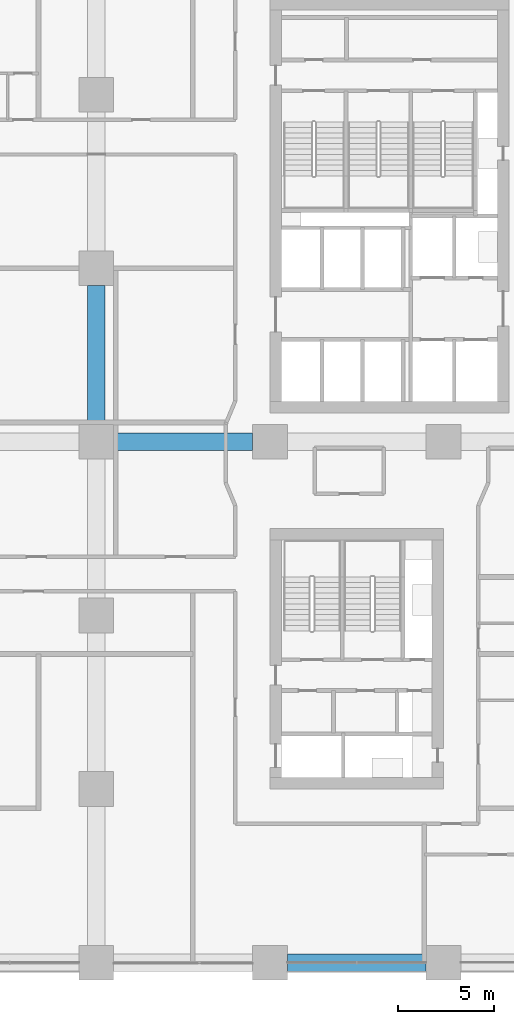
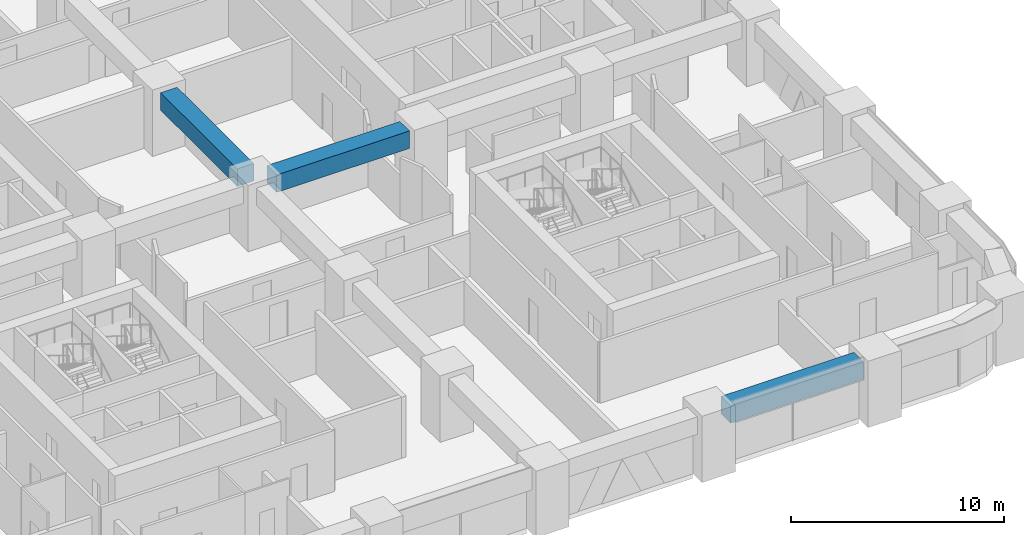
# One storey, part 5 of 23: 3 beams.
"""IFC4 building model written with IfcOpenShell, lengths in metres."""

from ifc_helpers import new_model, si_unit, direction, frame, origin, origin_2d, place, context, subcontext, project, spatial, rectangle, extrude, material, material_profile, profile_set, type_object, element, save


model = new_model("IFC4")

# Units and contexts
model_context = context("Model", 3, precision=1e-05, world=origin(), true_north=direction((0.0, 1.0)))
body_context = subcontext(model_context, "Body", "Model", "MODEL_VIEW")
ifc_project = project(units=[si_unit("LENGTHUNIT", "METRE"), si_unit("AREAUNIT", "SQUARE_METRE"), si_unit("VOLUMEUNIT", "CUBIC_METRE"), si_unit("PLANEANGLEUNIT", "RADIAN"), si_unit("MASSUNIT", "GRAM", prefix="KILO")], contexts=[model_context])

# Site, building, storey
site_placement = place(None, origin())
site = spatial("IfcSite", under=ifc_project, at=site_placement, CompositionType="ELEMENT")
building_placement = place(site_placement, origin())
building = spatial("IfcBuilding", under=site, at=building_placement, Name="Tessera Arch", CompositionType="ELEMENT")
storey_placement = place(building_placement, frame((0.0, 0.0, 34.800048828125)))
storey = spatial("IfcBuildingStorey", under=building, at=storey_placement, Name="L06", CompositionType="ELEMENT", Elevation=34.800048828125)

# Beams
ifc_material = material(Name="Concrete C80/95", Category="concrete")
ifc_material_profile = material_profile(ifc_material, rectangle(XDim=0.89990234375, YDim=1.0, at=origin_2d()), Name="RC spandrel beam 900 x 1000 Concrete C80/95")
ifc_profile_set = profile_set([ifc_material_profile], Name="Concrete C80/95")
beam_type = type_object("IfcBeamType", Name="RC spandrel beam 900 x 1000 Concrete C80/95", PredefinedType="BEAM", material=ifc_profile_set)
for number, where, z_axis, x_axis, name in (
    (1, (36.89990234375, 0.0, 3.0), (1.0, 0.0, 0.0), (0.0, 1.0, 0.0), "Spandrel beam L06 S0.0/3"),
    (2, (27.0, 27.89990234375, 3.0), (0.0, 1.0, 0.0), (-1.0, 0.0, 0.0), "Interface beam L06 I0C4D-C4E"),
    (3, (27.89990234375, 27.0, 3.0), (1.0, 0.0, 0.0), (0.0, 1.0, 0.0), "Interface beam L06 I1C4D-C5D"),
):
    element("IfcBeam", number, at=place(storey_placement, frame(where, z_axis=z_axis, x_axis=x_axis)), inside=storey, type_object=beam_type, Name=name, PredefinedType="BEAM", context=body_context, shape_type="SweptSolid", body=[
        extrude(rectangle(XDim=0.89990234375, YDim=1.0, at=origin_2d()), origin(), (0.0, 0.0, 1.0), 7.2001953125),
    ])

save(model, "model.ifc")
